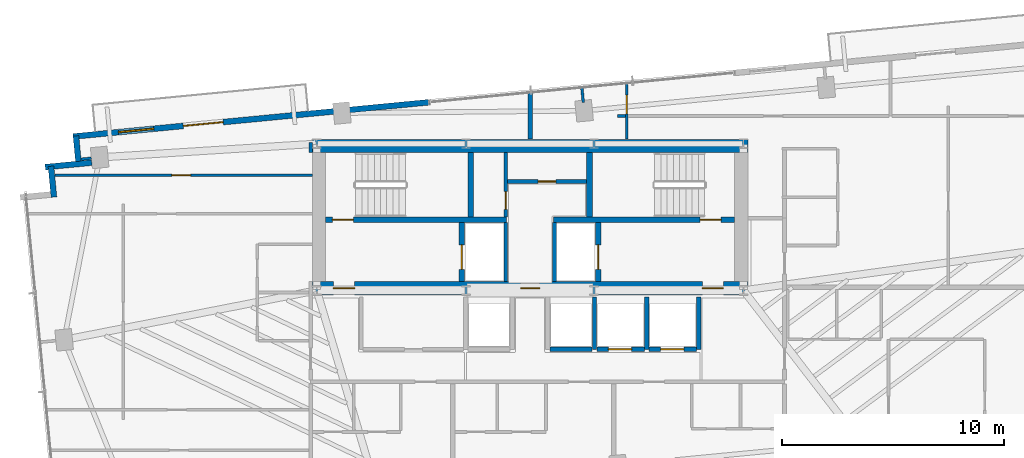
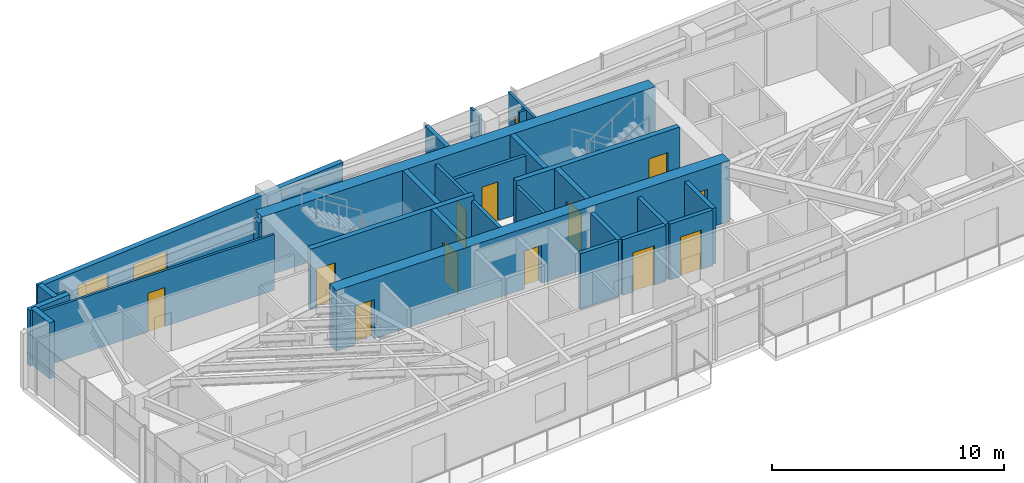
# One storey, part 14 of 18: 29 walls, 14 doors, 1 window, 15 openings.
"""IFC4 building model written with IfcOpenShell, lengths in metres."""

import ifcopenshell
import ifcopenshell.guid

model = None  # the IFC model being written
_history = None  # IfcOwnerHistory: only IFC2X3 demands one
_inside = {}  # id of a spatial element -> (the spatial element, [elements in it])
_under = {}  # id of a project, library or spatial element -> (it, [spatial elements below it])
_declared = {}  # id of a project -> (the project, [libraries it declares])
_typed = {}  # id of a type object -> (the type object, [elements of that type])
_made_of = {}  # id of a material, layer set ... -> (it, [elements and type objects made of it])


def new_model(schema):
    """Start an empty IFC model of exactly this schema.

    Asked for "IFC4X3", IfcOpenShell would pick the latest addendum, in which some entities
    have other attributes; the version numbers below select the first issue.
    IFC2X3 requires an IfcOwnerHistory on every rooted entity: one is made here for all.
    """
    global model, _history
    if schema == "IFC4X3":
        model = ifcopenshell.file(schema_version=(4, 3, 0, 0))
    else:
        model = ifcopenshell.file(schema=schema)
    _inside.clear()
    _under.clear()
    _declared.clear()
    _typed.clear()
    _made_of.clear()
    _history = None
    if model.schema == "IFC2X3":
        org = make("IfcOrganization", Name="unknown")
        user = make(
            "IfcPersonAndOrganization",
            ThePerson=make("IfcPerson", FamilyName="unknown"),
            TheOrganization=org,
        )
        app = make(
            "IfcApplication",
            ApplicationDeveloper=org,
            Version="unknown",
            ApplicationFullName="unknown",
            ApplicationIdentifier="unknown",
        )
        _history = make(
            "IfcOwnerHistory",
            OwningUser=user,
            OwningApplication=app,
            ChangeAction="ADDED",
            CreationDate=0,
        )
    return model


def make(cls, **values):
    """One entity of the class cls with the attributes given. An attribute that is None is left unset."""
    return model.create_entity(
        cls, **{name: value for name, value in values.items() if value is not None}
    )


def rooted(cls, **values):
    """An entity with a GlobalId (a new one), such as an element, a storey or a relation."""
    return make(cls, GlobalId=ifcopenshell.guid.new(), OwnerHistory=_history, **values)


def si_unit(unit_type, name, prefix=None):
    """IfcSIUnit, for example si_unit("LENGTHUNIT", "METRE", prefix="MILLI")."""
    return make("IfcSIUnit", UnitType=unit_type, Prefix=prefix, Name=name)


def assignment(units):
    """IfcUnitAssignment: the units of a project."""
    return None if units is None else make("IfcUnitAssignment", Units=units)


def point(xyz):
    """IfcCartesianPoint."""
    return None if xyz is None else make("IfcCartesianPoint", Coordinates=xyz)


def direction(xyz):
    """IfcDirection."""
    return None if xyz is None else make("IfcDirection", DirectionRatios=xyz)


def frame(location, z_axis=None, x_axis=None):
    """IfcAxis2Placement3D, a coordinate frame: its origin and axes. An axis left out is left unset."""
    return make(
        "IfcAxis2Placement3D",
        Location=point(location),
        Axis=direction(z_axis),
        RefDirection=direction(x_axis),
    )


def frame_2d(location, x_axis=None):
    """IfcAxis2Placement2D, a coordinate frame in the plane: its origin and x axis."""
    return make(
        "IfcAxis2Placement2D", Location=point(location), RefDirection=direction(x_axis)
    )


def origin():
    """The frame at (0, 0, 0) with its axes left unset."""
    return frame((0.0, 0.0, 0.0))


def place(relative_to, where):
    """IfcLocalPlacement: puts the frame where relative to a parent placement (None: the world)."""
    return make(
        "IfcLocalPlacement", PlacementRelTo=relative_to, RelativePlacement=where
    )


def context(
    kind, dimensions, precision=None, world=None, true_north=None, identifier=None
):
    """IfcGeometricRepresentationContext, for example the 3D "Model" context."""
    return make(
        "IfcGeometricRepresentationContext",
        ContextIdentifier=identifier,
        ContextType=kind,
        CoordinateSpaceDimension=dimensions,
        Precision=precision,
        WorldCoordinateSystem=world,
        TrueNorth=true_north,
    )


def subcontext(parent, identifier, kind, view, scale=None):
    """IfcGeometricRepresentationSubContext, for example "Body" below "Model"."""
    return make(
        "IfcGeometricRepresentationSubContext",
        ContextIdentifier=identifier,
        ContextType=kind,
        ParentContext=parent,
        TargetScale=scale,
        TargetView=view,
    )


def project(units=None, contexts=None):
    """IfcProject with its units and contexts."""
    return rooted(
        "IfcProject",
        Name="project",
        RepresentationContexts=contexts,
        UnitsInContext=assignment(units),
    )


def spatial(cls, under=None, at=None, **own):
    """A site, building, storey or space (cls), placed at a placement, below another one or the project."""
    s = rooted(cls, ObjectPlacement=at, **own)
    if under is not None:
        _under.setdefault(under.id(), (under, []))[1].append(s)
    return s


def profile(cls, at=None, kind="AREA", **sizes):
    """A parametric profile (cls). Its sizes go by their IFC names, for example OverallWidth=200.0."""
    return make(cls, ProfileType=kind, Position=at, **sizes)


def rectangle(**sizes):
    """IfcRectangleProfileDef."""
    return profile("IfcRectangleProfileDef", **sizes)


def extrude(swept, where, along, depth):
    """IfcExtrudedAreaSolid: the profile swept, set in the frame where, extruded along a direction by depth."""
    return make(
        "IfcExtrudedAreaSolid",
        SweptArea=swept,
        Position=where,
        ExtrudedDirection=direction(along),
        Depth=depth,
    )


def shape(context_of_items, identifier, shape_type, items):
    """IfcShapeRepresentation: the items that make up one representation, for example the "Body"."""
    return make(
        "IfcShapeRepresentation",
        ContextOfItems=context_of_items,
        RepresentationIdentifier=identifier,
        RepresentationType=shape_type,
        Items=items,
    )


def source(mapping_origin, context_of_items, identifier, shape_type, items):
    """IfcRepresentationMap: a shape defined once, which mapped items show again and again."""
    return make(
        "IfcRepresentationMap",
        MappingOrigin=mapping_origin,
        MappedRepresentation=shape(context_of_items, identifier, shape_type, items),
    )


def transform(
    local_origin,
    x_axis=None,
    y_axis=None,
    z_axis=None,
    scale=None,
    scale2=None,
    scale3=None,
    uniform=True,
):
    """IfcCartesianTransformationOperator3D, or its non-uniform kind. x_axis, y_axis, z_axis: its Axis1, 2, 3."""
    if uniform:
        return make(
            "IfcCartesianTransformationOperator3D",
            Axis1=direction(x_axis),
            Axis2=direction(y_axis),
            LocalOrigin=point(local_origin),
            Scale=scale,
            Axis3=direction(z_axis),
        )
    return make(
        "IfcCartesianTransformationOperator3DnonUniform",
        Axis1=direction(x_axis),
        Axis2=direction(y_axis),
        LocalOrigin=point(local_origin),
        Scale=scale,
        Axis3=direction(z_axis),
        Scale2=scale2,
        Scale3=scale3,
    )


def mapped(mapping_source, mapping_target):
    """IfcMappedItem: shows the shape of a source again, moved by a transform."""
    return make(
        "IfcMappedItem", MappingSource=mapping_source, MappingTarget=mapping_target
    )


def material(Name=None, Category=None):
    """IfcMaterial."""
    return make("IfcMaterial", Name=Name, Category=Category)


def layer(
    of_material, thickness, ventilated=None, Name=None, Category=None, Priority=None
):
    """IfcMaterialLayer: one layer of a wall or slab, of a material (None: an air gap)."""
    return make(
        "IfcMaterialLayer",
        Material=of_material,
        LayerThickness=thickness,
        IsVentilated=ventilated,
        Name=Name,
        Category=Category,
        Priority=Priority,
    )


def layer_set(layers, Name=None):
    """IfcMaterialLayerSet."""
    return make("IfcMaterialLayerSet", MaterialLayers=layers, LayerSetName=Name)


def made_of(thing, what):
    """Note that an element or type object is made of a material, layer set ...; save() writes the relation."""
    if what is not None:
        _made_of.setdefault(what.id(), (what, []))[1].append(thing)
    return thing


def type_object(cls, material=None, **own):
    """A type object (cls), such as IfcWallType, which elements share."""
    return made_of(rooted(cls, **own), material)


def type_shapes(of_type, sources):
    """Give a type object the sources (RepresentationMaps) that its elements show as mapped items."""
    of_type.RepresentationMaps = sources


def element(
    cls,
    number,
    at=None,
    inside=None,
    cuts=None,
    type_object=None,
    material=None,
    context=None,
    identifier="Body",
    shape_type=None,
    held_by="IfcProductDefinitionShape",
    body=None,
    shapes=None,
    **own,
):
    """One element of the class cls, such as IfcWall. Its Tag is "e" and its number.

    at: its placement. inside: the storey or other place that contains it. cuts: it is an
    opening in that element (IfcRelVoidsElement). A single representation is given by context,
    identifier, shape_type and body (its items); several are given by shapes. held_by: the class
    of the entity that holds the representations. save() writes the other relations.
    """
    e = rooted(cls, Tag="e%d" % number, ObjectPlacement=at, **own)
    if body is not None:
        shapes = [shape(context, identifier, shape_type, body)]
    if shapes is not None:
        e.Representation = make(held_by, Representations=shapes)
    if inside is not None:
        _inside.setdefault(inside.id(), (inside, []))[1].append(e)
    if cuts is not None:
        rooted(
            "IfcRelVoidsElement", RelatingBuildingElement=cuts, RelatedOpeningElement=e
        )
    if type_object is not None:
        _typed.setdefault(type_object.id(), (type_object, []))[1].append(e)
    return made_of(e, material)


def fill(opening, filler):
    """IfcRelFillsElement: the door or window that sits in an opening."""
    return rooted(
        "IfcRelFillsElement",
        RelatingOpeningElement=opening,
        RelatedBuildingElement=filler,
    )


def aggregate(whole, parts):
    """IfcRelAggregates: a whole, such as a stair, and the parts it consists of."""
    return rooted("IfcRelAggregates", RelatingObject=whole, RelatedObjects=parts)


def save(model, path):
    """Write the relations noted so far, then the file.

    IfcRelAggregates (storeys below a building ...), IfcRelContainedInSpatialStructure (elements
    in a storey), IfcRelDefinesByType, IfcRelAssociatesMaterial and IfcRelDeclares: one each for
    every whole, place, type object, material and project.
    """
    for whole, parts in _under.values():
        aggregate(whole, parts)
    for where, things in _inside.values():
        rooted(
            "IfcRelContainedInSpatialStructure",
            RelatedElements=things,
            RelatingStructure=where,
        )
    for kind, things in _typed.values():
        rooted("IfcRelDefinesByType", RelatedObjects=things, RelatingType=kind)
    for what, things in _made_of.values():
        rooted("IfcRelAssociatesMaterial", RelatedObjects=things, RelatingMaterial=what)
    for by, libraries in _declared.values():
        rooted("IfcRelDeclares", RelatingContext=by, RelatedDefinitions=libraries)
    model.write(path)


model = new_model("IFC4")

# Units and contexts
model_context = context("Model", 3, precision=1e-05, world=origin(), true_north=direction((0.0, 1.0)))
body_context = subcontext(model_context, "Body", "Model", "MODEL_VIEW")
ifc_project = project(units=[si_unit("LENGTHUNIT", "METRE"), si_unit("AREAUNIT", "SQUARE_METRE"), si_unit("VOLUMEUNIT", "CUBIC_METRE"), si_unit("PLANEANGLEUNIT", "RADIAN"), si_unit("MASSUNIT", "GRAM", prefix="KILO")], contexts=[model_context])

# Site, building, storey
site_placement = place(None, origin())
site = spatial("IfcSite", under=ifc_project, at=site_placement, CompositionType="ELEMENT")
building_placement = place(site_placement, origin())
building = spatial("IfcBuilding", under=site, at=building_placement, Name="Astriad Promenade Condominiums", CompositionType="ELEMENT")
storey_placement = place(building_placement, frame((0.0, 0.0, 185.800048828125)))
storey = spatial("IfcBuildingStorey", under=building, at=storey_placement, Name="L53", CompositionType="ELEMENT", Elevation=185.800048828125)

# Wall, openings, doors
ifc_material_1 = material(Name="Concrete C50/60", Category="concrete")
ifc_layer_1 = layer(ifc_material_1, 0.60009765625)
ifc_layer_set_1 = layer_set([ifc_layer_1], Name="Concrete C50/60")
wall_type_1 = type_object("IfcWallType", Name="CW-SHEAR-600", PredefinedType="SHEAR", material=ifc_layer_set_1)
wall_1_placement = place(storey_placement, frame((26.199951171875, 17.5, 0.0), z_axis=(0.0, 0.0, 1.0), x_axis=(1.0, 0.0, 0.0)))
wall_1 = element("IfcWall", 1, at=wall_1_placement, inside=storey, type_object=wall_type_1, Name="CW-CORE-S-L53", PredefinedType="SHEAR", context=body_context, shape_type="SweptSolid", body=[
    extrude(rectangle(XDim=19.60009765625, YDim=0.60009765625, at=frame_2d((9.800048828125, 0.0))), origin(), (0.0, 0.0, 1.0), 3.199951171875),
])
opening_1_placement = place(wall_1_placement, frame((0.949951171875, 0.0, 0.0)))
opening_1 = element("IfcOpeningElement", 2, at=opening_1_placement, cuts=wall_1, Name="Opening FD90-ST-095", PredefinedType="OPENING", context=body_context, shape_type="SweptSolid", body=[
    extrude(rectangle(XDim=0.949951171875, YDim=2.06005859375, at=frame_2d((0.47509765625, 1.030029296875))), frame((0.0, 0.31005859375, 0.0), z_axis=(0.0, -1.0, 0.0), x_axis=(1.0, 0.0, 0.0)), (0.0, 0.0, 1.0), 0.6201171875),
])
opening_2_placement = place(wall_1_placement, frame((9.3798828125, 0.0, 0.0)))
opening_2 = element("IfcOpeningElement", 3, at=opening_2_placement, cuts=wall_1, Name="Opening FD60-ULOW-085", PredefinedType="OPENING", context=body_context, shape_type="SweptSolid", body=[
    extrude(rectangle(XDim=0.85009765625, YDim=2.0, at=frame_2d((0.425048828125, 1.0))), frame((0.0, 0.31005859375, 0.0), z_axis=(0.0, -1.0, 0.0), x_axis=(1.0, 0.0, 0.0)), (0.0, 0.0, 1.0), 0.6201171875),
])
opening_3_placement = place(wall_1_placement, frame((17.550048828125, 0.0, 0.0)))
opening_3 = element("IfcOpeningElement", 4, at=opening_3_placement, cuts=wall_1, Name="Opening FD90-ST-095", PredefinedType="OPENING", context=body_context, shape_type="SweptSolid", body=[
    extrude(rectangle(XDim=0.949951171875, YDim=2.06005859375, at=frame_2d((0.47509765625, 1.030029296875))), frame((0.0, 0.31005859375, 0.0), z_axis=(0.0, -1.0, 0.0), x_axis=(1.0, 0.0, 0.0)), (0.0, 0.0, 1.0), 0.6201171875),
])
ifc_material_2 = material(Name="Fire-Rated Hollow Metal Stair Door")
door_type_1 = type_object("IfcDoorType", Name="FD90-ST-095", OperationType="NOTDEFINED", PredefinedType="DOOR", material=ifc_material_2)
shared_shape_1 = source(origin(), body_context, "Body", "SweptSolid", [
    extrude(rectangle(XDim=0.949951171875, YDim=2.06005859375, at=frame_2d((0.47509765625, 1.030029296875))), frame((0.0, 0.02490234375, 0.0), z_axis=(0.0, -1.0, 0.0), x_axis=(1.0, 0.0, 0.0)), (0.0, 0.0, 1.0), 0.050048828125),
])
type_shapes(door_type_1, [shared_shape_1])
door_1_placement = place(opening_1_placement, origin())
door_1 = element("IfcDoor", 5, at=door_1_placement, inside=storey, type_object=door_type_1, Name="D-FFW-L53", OperationType="SINGLE_SWING_LEFT", OverallHeight=2.06005859375, OverallWidth=0.949951171875, PredefinedType="DOOR", context=body_context, shape_type="MappedRepresentation", body=[
    mapped(shared_shape_1, transform((0.0, 0.0, 0.0), scale=1.0)),
])
fill(opening_1, door_1)
door_2_placement = place(opening_3_placement, origin())
door_2 = element("IfcDoor", 6, at=door_2_placement, inside=storey, type_object=door_type_1, Name="D-FFE-L53", OperationType="SINGLE_SWING_RIGHT", OverallHeight=2.06005859375, OverallWidth=0.949951171875, PredefinedType="DOOR", context=body_context, shape_type="MappedRepresentation", body=[
    mapped(shared_shape_1, transform((0.0, 0.0, 0.0), scale=1.0)),
])
fill(opening_3, door_2)
ifc_material_3 = material(Name="Solid-Core Low-Headroom Fire Door")
door_type_2 = type_object("IfcDoorType", Name="FD60-ULOW-085", OperationType="NOTDEFINED", PredefinedType="DOOR", material=ifc_material_3)
shared_shape_2 = source(origin(), body_context, "Body", "SweptSolid", [
    extrude(rectangle(XDim=0.85009765625, YDim=2.0, at=frame_2d((0.425048828125, 1.0))), frame((0.0, 0.02490234375, 0.0), z_axis=(0.0, -1.0, 0.0), x_axis=(1.0, 0.0, 0.0)), (0.0, 0.0, 1.0), 0.050048828125),
])
type_shapes(door_type_2, [shared_shape_2])
door_3_placement = place(opening_2_placement, origin())
door_3 = element("IfcDoor", 7, at=door_3_placement, inside=storey, type_object=door_type_2, Name="D-CSL-L53", OperationType="SINGLE_SWING_RIGHT", OverallHeight=2.0, OverallWidth=0.85009765625, PredefinedType="DOOR", context=body_context, shape_type="MappedRepresentation", body=[
    mapped(shared_shape_2, transform((0.0, 0.0, 0.0), scale=1.0)),
])
fill(opening_2, door_3)

# Wall
wall_2_placement = place(storey_placement, frame((26.199951171875, 23.89990234375, 0.0), z_axis=(0.0, 0.0, 1.0), x_axis=(1.0, 0.0, 0.0)))
element("IfcWall", 8, at=wall_2_placement, inside=storey, type_object=wall_type_1, Name="CW-CORE-N-L53", PredefinedType="SHEAR", context=body_context, shape_type="SweptSolid", body=[
    extrude(rectangle(XDim=19.60009765625, YDim=0.60009765625, at=frame_2d((9.800048828125, 0.0))), origin(), (0.0, 0.0, 1.0), 3.199951171875),
])

# Wall, opening, door
ifc_layer_2 = layer(ifc_material_1, 0.25)
ifc_layer_set_2 = layer_set([ifc_layer_2], Name="Concrete C50/60")
wall_type_2 = type_object("IfcWallType", Name="WALL-CORE-INT-250", PredefinedType="SOLIDWALL", material=ifc_layer_set_2)
wall_3_placement = place(storey_placement, frame((26.802001953125, 20.574951171875, 0.0), z_axis=(0.0, 0.0, 1.0), x_axis=(1.0, 0.0, 0.0)))
wall_3 = element("IfcWall", 9, at=wall_3_placement, inside=storey, type_object=wall_type_2, Name="CW-INT-H1-L53", PredefinedType="SOLIDWALL", context=body_context, shape_type="SweptSolid", body=[
    extrude(rectangle(XDim=8.14794921875, YDim=0.25, at=frame_2d((4.073974609375, 0.0))), origin(), (0.0, 0.0, 1.0), 3.199951171875),
])
opening_4_placement = place(wall_3_placement, frame((0.298095703125, 0.0, 0.0)))
opening_4 = element("IfcOpeningElement", 10, at=opening_4_placement, cuts=wall_3, Name="Opening FD90-ST-095", PredefinedType="OPENING", context=body_context, shape_type="SweptSolid", body=[
    extrude(rectangle(XDim=0.949951171875, YDim=2.06005859375, at=frame_2d((0.47509765625, 1.030029296875))), frame((0.0, 0.135009765625, 0.0), z_axis=(0.0, -1.0, 0.0), x_axis=(1.0, 0.0, 0.0)), (0.0, 0.0, 1.0), 0.27001953125),
])
door_4_placement = place(opening_4_placement, origin())
door_4 = element("IfcDoor", 11, at=door_4_placement, inside=storey, type_object=door_type_1, Name="D-ST1-L53", OperationType="SINGLE_SWING_RIGHT", OverallHeight=2.06005859375, OverallWidth=0.949951171875, PredefinedType="DOOR", context=body_context, shape_type="MappedRepresentation", body=[
    mapped(shared_shape_1, transform((0.0, 0.0, 0.0), scale=1.0)),
])
fill(opening_4, door_4)

wall_4_placement = place(storey_placement, frame((37.050048828125, 20.574951171875, 0.0), z_axis=(0.0, 0.0, 1.0), x_axis=(1.0, 0.0, 0.0)))
wall_4 = element("IfcWall", 12, at=wall_4_placement, inside=storey, type_object=wall_type_2, Name="CW-INT-H2-L53", PredefinedType="SOLIDWALL", context=body_context, shape_type="SweptSolid", body=[
    extrude(rectangle(XDim=8.14794921875, YDim=0.25, at=frame_2d((4.073974609375, 0.0))), origin(), (0.0, 0.0, 1.0), 3.199951171875),
])
opening_5_placement = place(wall_4_placement, frame((6.60009765625, 0.0, 0.0)))
opening_5 = element("IfcOpeningElement", 13, at=opening_5_placement, cuts=wall_4, Name="Opening FD90-ST-095", PredefinedType="OPENING", context=body_context, shape_type="SweptSolid", body=[
    extrude(rectangle(XDim=0.949951171875, YDim=2.06005859375, at=frame_2d((0.47509765625, 1.030029296875))), frame((0.0, 0.135009765625, 0.0), z_axis=(0.0, -1.0, 0.0), x_axis=(1.0, 0.0, 0.0)), (0.0, 0.0, 1.0), 0.27001953125),
])
door_5_placement = place(opening_5_placement, origin())
door_5 = element("IfcDoor", 14, at=door_5_placement, inside=storey, type_object=door_type_1, Name="D-ST2-L53", OperationType="SINGLE_SWING_LEFT", OverallHeight=2.06005859375, OverallWidth=0.949951171875, PredefinedType="DOOR", context=body_context, shape_type="MappedRepresentation", body=[
    mapped(shared_shape_1, transform((0.0, 0.0, 0.0), scale=1.0)),
])
fill(opening_5, door_5)

# Walls
for number, where, z_axis, x_axis, name in (
    (15, (33.324951171875, 20.701904296875, 0.0), (0.0, 0.0, 1.0), (0.0, 1.0, 0.0), "CW-ST1-E-L53"),
    (16, (38.675048828125, 20.701904296875, 0.0), (0.0, 0.0, 1.0), (0.0, 1.0, 0.0), "CW-ST2-W-L53"),
):
    element("IfcWall", number, at=place(storey_placement, frame(where, z_axis=z_axis, x_axis=x_axis)), inside=storey, type_object=wall_type_2, Name=name, PredefinedType="SOLIDWALL", context=body_context, shape_type="SweptSolid", body=[
        extrude(rectangle(XDim=2.89599609375, YDim=0.25, at=frame_2d((1.447998046875, 0.0))), origin(), (0.0, 0.0, 1.0), 3.199951171875),
    ])

# Wall, opening, door
wall_5_placement = place(storey_placement, frame((32.925048828125, 17.802001953125, 0.0), z_axis=(0.0, 0.0, 1.0), x_axis=(0.0, 1.0, 0.0)))
wall_5 = element("IfcWall", 17, at=wall_5_placement, inside=storey, type_object=wall_type_2, Name="CW-FFL1-W-L53", PredefinedType="SOLIDWALL", context=body_context, shape_type="SweptSolid", body=[
    extrude(rectangle(XDim=2.64599609375, YDim=0.25, at=frame_2d((1.322998046875, 0.0))), origin(), (0.0, 0.0, 1.0), 3.199951171875),
])
opening_6_placement = place(wall_5_placement, frame((0.548095703125, 0.0, 0.0)))
opening_6 = element("IfcOpeningElement", 18, at=opening_6_placement, cuts=wall_5, Name="Opening LD-FFL-1122", PredefinedType="OPENING", context=body_context, shape_type="SweptSolid", body=[
    extrude(rectangle(XDim=1.10009765625, YDim=2.080078125, at=frame_2d((0.550048828125, 1.0400390625))), frame((0.0, 0.135009765625, 0.0), z_axis=(0.0, -1.0, 0.0), x_axis=(1.0, 0.0, 0.0)), (0.0, 0.0, 1.0), 0.27001953125),
])
ifc_material_4 = material(Name="Brushed Stainless Steel Fire Elevator Landing Door", Category="steel")
door_type_3 = type_object("IfcDoorType", Name="LD-FFL-1122", OperationType="NOTDEFINED", PredefinedType="DOOR", material=ifc_material_4)
shared_shape_3 = source(origin(), body_context, "Body", "SweptSolid", [
    extrude(rectangle(XDim=1.10009765625, YDim=2.080078125, at=frame_2d((0.550048828125, 1.0400390625))), frame((0.0, 0.02490234375, 0.0), z_axis=(0.0, -1.0, 0.0), x_axis=(1.0, 0.0, 0.0)), (0.0, 0.0, 1.0), 0.050048828125),
])
type_shapes(door_type_3, [shared_shape_3])
door_6_placement = place(opening_6_placement, origin())
door_6 = element("IfcDoor", 19, at=door_6_placement, inside=storey, type_object=door_type_3, Name="Elevator Landing Door FFL-1 (L53)", OperationType="SLIDING_TO_LEFT", OverallHeight=2.080078125, OverallWidth=1.10009765625, PredefinedType="DOOR", context=body_context, shape_type="MappedRepresentation", body=[
    mapped(shared_shape_3, transform((0.0, 0.0, 0.0), scale=1.0)),
])
fill(opening_6, door_6)

wall_6_placement = place(storey_placement, frame((39.074951171875, 17.802001953125, 0.0), z_axis=(0.0, 0.0, 1.0), x_axis=(0.0, 1.0, 0.0)))
wall_6 = element("IfcWall", 20, at=wall_6_placement, inside=storey, type_object=wall_type_2, Name="CW-FFL2-E-L53", PredefinedType="SOLIDWALL", context=body_context, shape_type="SweptSolid", body=[
    extrude(rectangle(XDim=2.64599609375, YDim=0.25, at=frame_2d((1.322998046875, 0.0))), origin(), (0.0, 0.0, 1.0), 3.199951171875),
])
opening_7_placement = place(wall_6_placement, frame((0.548095703125, 0.0, 0.0)))
opening_7 = element("IfcOpeningElement", 21, at=opening_7_placement, cuts=wall_6, Name="Opening LD-FFL-1122", PredefinedType="OPENING", context=body_context, shape_type="SweptSolid", body=[
    extrude(rectangle(XDim=1.10009765625, YDim=2.080078125, at=frame_2d((0.550048828125, 1.0400390625))), frame((0.0, 0.135009765625, 0.0), z_axis=(0.0, -1.0, 0.0), x_axis=(1.0, 0.0, 0.0)), (0.0, 0.0, 1.0), 0.27001953125),
])
door_7_placement = place(opening_7_placement, origin())
door_7 = element("IfcDoor", 22, at=door_7_placement, inside=storey, type_object=door_type_3, Name="Elevator Landing Door FFL-2 (L53)", OperationType="SLIDING_TO_RIGHT", OverallHeight=2.080078125, OverallWidth=1.10009765625, PredefinedType="DOOR", context=body_context, shape_type="MappedRepresentation", body=[
    mapped(shared_shape_3, transform((0.0, 0.0, 0.0), scale=1.0)),
])
fill(opening_7, door_7)

# Walls
ifc_material_5 = material(Name="Fire-Rated Gypsum Partition")
ifc_layer_3 = layer(ifc_material_5, 0.159912109375)
ifc_layer_set_3 = layer_set([ifc_layer_3], Name="Fire-Rated Gypsum Partition")
wall_type_3 = type_object("IfcWallType", Name="WALL-CORR-160", PredefinedType="PARTITIONING", material=ifc_layer_set_3)
for number, where, z_axis, x_axis, name in (
    (23, (34.89990234375, 17.802001953125, 0.0), (0.0, 0.0, 1.0), (0.0, 1.0, 0.0), "CW-FFL1-E-L53"),
    (24, (37.10009765625, 17.802001953125, 0.0), (0.0, 0.0, 1.0), (0.0, 1.0, 0.0), "CW-FFL2-W-L53"),
):
    element("IfcWall", number, at=place(storey_placement, frame(where, z_axis=z_axis, x_axis=x_axis)), inside=storey, type_object=wall_type_3, Name=name, PredefinedType="PARTITIONING", context=body_context, shape_type="SweptSolid", body=[
        extrude(rectangle(XDim=2.64599609375, YDim=0.159912109375, at=frame_2d((1.322998046875, 0.0))), origin(), (0.0, 0.0, 1.0), 2.93994140625),
    ])

# Wall, opening, door
wall_7_placement = place(storey_placement, frame((34.89990234375, 20.701904296875, 0.0), z_axis=(0.0, 0.0, 1.0), x_axis=(0.0, 1.0, 0.0)))
wall_7 = element("IfcWall", 25, at=wall_7_placement, inside=storey, type_object=wall_type_3, Name="CW-AUX-W-L53", PredefinedType="PARTITIONING", context=body_context, shape_type="SweptSolid", body=[
    extrude(rectangle(XDim=2.89599609375, YDim=0.159912109375, at=frame_2d((1.447998046875, 0.0))), origin(), (0.0, 0.0, 1.0), 2.93994140625),
])
opening_8_placement = place(wall_7_placement, frame((0.347900390625, 0.0, 0.0)))
opening_8 = element("IfcOpeningElement", 26, at=opening_8_placement, cuts=wall_7, Name="Opening FD60-SV-080", PredefinedType="OPENING", context=body_context, shape_type="SweptSolid", body=[
    extrude(rectangle(XDim=0.800048828125, YDim=2.050048828125, at=frame_2d((0.39990234375, 1.02490234375))), frame((0.0, 0.08984375, 0.0), z_axis=(0.0, -1.0, 0.0), x_axis=(1.0, 0.0, 0.0)), (0.0, 0.0, 1.0), 0.179931640625),
])
ifc_material_6 = material(Name="Fire-Rated Riser Closet Door")
door_type_4 = type_object("IfcDoorType", Name="FD60-SV-080", OperationType="NOTDEFINED", PredefinedType="DOOR", material=ifc_material_6)
shared_shape_4 = source(origin(), body_context, "Body", "SweptSolid", [
    extrude(rectangle(XDim=0.800048828125, YDim=2.050048828125, at=frame_2d((0.39990234375, 1.02490234375))), frame((0.0, 0.02490234375, 0.0), z_axis=(0.0, -1.0, 0.0), x_axis=(1.0, 0.0, 0.0)), (0.0, 0.0, 1.0), 0.050048828125),
])
type_shapes(door_type_4, [shared_shape_4])
door_8_placement = place(opening_8_placement, origin())
door_8 = element("IfcDoor", 27, at=door_8_placement, inside=storey, type_object=door_type_4, Name="D-AUX1-L53", OperationType="SINGLE_SWING_RIGHT", OverallHeight=2.050048828125, OverallWidth=0.800048828125, PredefinedType="DOOR", context=body_context, shape_type="MappedRepresentation", body=[
    mapped(shared_shape_4, transform((0.0, 0.0, 0.0), scale=1.0)),
])
fill(opening_8, door_8)

wall_8_placement = place(storey_placement, frame((34.98193359375, 22.300048828125, 0.0), z_axis=(0.0, 0.0, 1.0), x_axis=(1.0, 0.0, 0.0)))
wall_8 = element("IfcWall", 28, at=wall_8_placement, inside=storey, type_object=wall_type_3, Name="CW-AUX-N-L53", PredefinedType="PARTITIONING", context=body_context, shape_type="SweptSolid", body=[
    extrude(rectangle(XDim=3.566162109375, YDim=0.159912109375, at=frame_2d((1.783203125, 0.0))), origin(), (0.0, 0.0, 1.0), 2.93994140625),
])
opening_9_placement = place(wall_8_placement, frame((1.3779296875, 0.0, 0.0)))
opening_9 = element("IfcOpeningElement", 29, at=opening_9_placement, cuts=wall_8, Name="Opening FD60-SV-080", PredefinedType="OPENING", context=body_context, shape_type="SweptSolid", body=[
    extrude(rectangle(XDim=0.800048828125, YDim=2.050048828125, at=frame_2d((0.39990234375, 1.02490234375))), frame((0.0, 0.08984375, 0.0), z_axis=(0.0, -1.0, 0.0), x_axis=(1.0, 0.0, 0.0)), (0.0, 0.0, 1.0), 0.179931640625),
])
door_9_placement = place(opening_9_placement, origin())
door_9 = element("IfcDoor", 30, at=door_9_placement, inside=storey, type_object=door_type_4, Name="D-AUX2-L53", OperationType="SINGLE_SWING_LEFT", OverallHeight=2.050048828125, OverallWidth=0.800048828125, PredefinedType="DOOR", context=body_context, shape_type="MappedRepresentation", body=[
    mapped(shared_shape_4, transform((0.0, 0.0, 0.0), scale=1.0)),
])
fill(opening_9, door_9)

# Walls
wall_9_placement = place(storey_placement, frame((26.1201171875, 23.597900390625, 0.0), z_axis=(0.0, 0.0, 1.0), x_axis=(0.0, 1.0, 0.0)))
element("IfcWall", 31, at=wall_9_placement, inside=storey, type_object=wall_type_3, Name="PT-COR-W-L53-S3", PredefinedType="PARTITIONING", context=body_context, shape_type="SweptSolid", body=[
    extrude(rectangle(XDim=0.4521484375, YDim=0.159912109375, at=frame_2d((0.22607421875, 0.0))), origin(), (0.0, 0.0, 1.0), 2.93994140625),
])
ifc_material_7 = material(Name="Acoustic Double-Stud Gypsum Partition")
ifc_layer_4 = layer(ifc_material_7, 0.199951171875)
ifc_layer_set_4 = layer_set([ifc_layer_4], Name="Acoustic Double-Stud Gypsum Partition")
wall_type_4 = type_object("IfcWallType", Name="WALL-DEMISING-200", PredefinedType="PARTITIONING", material=ifc_layer_set_4)
wall_10_placement = place(storey_placement, frame((36.0, 24.201904296875, 0.0), z_axis=(0.0, 0.0, 1.0), x_axis=(0.0, 1.0, 0.0)))
element("IfcWall", 32, at=wall_10_placement, inside=storey, type_object=wall_type_4, Name="PT-NC-MID-L53", PredefinedType="PARTITIONING", context=body_context, shape_type="SweptSolid", body=[
    extrude(rectangle(XDim=2.152099609375, YDim=0.199951171875, at=frame_2d((1.076171875, 0.0))), origin(), (0.0, 0.0, 1.0), 2.93994140625),
])
ifc_material_8 = material(Name="Precast concrete C50/60", Category="concrete")
ifc_layer_5 = layer(ifc_material_8, 0.260009765625)
ifc_layer_set_5 = layer_set([ifc_layer_5], Name="Precast concrete C50/60")
wall_type_5 = type_object("IfcWallType", Name="WALL-EXT-TWR-260", PredefinedType="STANDARD", material=ifc_layer_set_5)
wall_11_placement = place(storey_placement, frame((14.57373046875, 21.5986328125, 0.0), z_axis=(0.0, 0.0, 1.0), x_axis=(-0.095742423056, 0.99540614245, 0.0)))
element("IfcWall", 33, at=wall_11_placement, inside=storey, type_object=wall_type_5, Name="W-SER-L53-05", PredefinedType="STANDARD", context=body_context, shape_type="SweptSolid", body=[
    extrude(rectangle(XDim=1.394775390625, YDim=0.260009765625, at=frame_2d((0.697265625, 0.0))), origin(), (0.0, 0.0, 1.0), 2.93994140625),
])
wall_12_placement = place(storey_placement, frame((14.182861328125, 22.947265625, 0.0), z_axis=(0.0, 0.0, 1.0), x_axis=(0.995401580483, 0.095789840651, 0.0)))
element("IfcWall", 34, at=wall_12_placement, inside=storey, type_object=wall_type_5, Name="W-SER-L53-06", PredefinedType="STANDARD", context=body_context, shape_type="SweptSolid", body=[
    extrude(rectangle(XDim=2.102783203125, YDim=0.260009765625, at=frame_2d((1.05126953125, 0.0))), origin(), (0.0, 0.0, 1.0), 2.93994140625),
])
wall_13_placement = place(storey_placement, frame((15.6748046875, 23.20654296875, 0.0), z_axis=(0.0, 0.0, 1.0), x_axis=(-0.095951054827, 0.995386053287, 0.0)))
element("IfcWall", 35, at=wall_13_placement, inside=storey, type_object=wall_type_5, Name="W-SER-L53-07", PredefinedType="STANDARD", context=body_context, shape_type="SweptSolid", body=[
    extrude(rectangle(XDim=1.150146484375, YDim=0.260009765625, at=frame_2d((0.5751953125, 0.0))), origin(), (0.0, 0.0, 1.0), 2.93994140625),
])

# Wall, openings, door, window
wall_14_placement = place(storey_placement, frame((15.4365234375, 24.32373046875, 0.0), z_axis=(0.0, 0.0, 1.0), x_axis=(0.995395627913, 0.095851676732, 0.0)))
wall_14 = element("IfcWall", 36, at=wall_14_placement, inside=storey, type_object=wall_type_5, Name="W-EXT-L53-N1", PredefinedType="STANDARD", context=body_context, shape_type="SweptSolid", body=[
    extrude(rectangle(XDim=16.10009765625, YDim=0.260009765625, at=frame_2d((8.050048828125, 0.0))), origin(), (0.0, 0.0, 1.0), 2.93994140625),
])
opening_10_placement = place(wall_14_placement, frame((4.97802734375, 0.0, 0.0)))
opening_10 = element("IfcOpeningElement", 37, at=opening_10_placement, cuts=wall_14, Name="Opening BD-1822-SLD", PredefinedType="OPENING", context=body_context, shape_type="SweptSolid", body=[
    extrude(rectangle(XDim=1.800048828125, YDim=2.06005859375, at=frame_2d((0.89990234375, 1.030029296875))), frame((0.0, 0.139892578125, 0.0), z_axis=(0.0, -1.0, 0.0), x_axis=(1.0, 0.0, 0.0)), (0.0, 0.0, 1.0), 0.280029296875),
])
opening_11_placement = place(wall_14_placement, frame((2.050048828125, 0.0, 0.64990234375)))
opening_11 = element("IfcOpeningElement", 38, at=opening_11_placement, cuts=wall_14, Name="Opening WIN-TWR-1620", PredefinedType="OPENING", context=body_context, shape_type="SweptSolid", body=[
    extrude(rectangle(XDim=1.60009765625, YDim=1.5, at=frame_2d((0.800048828125, 0.75))), frame((0.0, 0.139892578125, 0.0), z_axis=(0.0, -1.0, 0.0), x_axis=(1.0, 0.0, 0.0)), (0.0, 0.0, 1.0), 0.280029296875),
])
ifc_material_9 = material(Name="Thermally Broken Aluminium Sliding Balcony Door", Category="aluminium")
door_type_5 = type_object("IfcDoorType", Name="BD-1822-SLD", OperationType="NOTDEFINED", PredefinedType="DOOR", material=ifc_material_9)
shared_shape_5 = source(origin(), body_context, "Body", "SweptSolid", [
    extrude(rectangle(XDim=1.800048828125, YDim=2.06005859375, at=frame_2d((0.89990234375, 1.030029296875))), frame((0.0, 0.02490234375, 0.0), z_axis=(0.0, -1.0, 0.0), x_axis=(1.0, 0.0, 0.0)), (0.0, 0.0, 1.0), 0.050048828125),
])
type_shapes(door_type_5, [shared_shape_5])
door_10_placement = place(opening_10_placement, origin())
door_10 = element("IfcDoor", 39, at=door_10_placement, inside=storey, type_object=door_type_5, Name="BD-L53-NW", OperationType="SLIDING_TO_LEFT", OverallHeight=2.06005859375, OverallWidth=1.800048828125, PredefinedType="DOOR", context=body_context, shape_type="MappedRepresentation", body=[
    mapped(shared_shape_5, transform((0.0, 0.0, 0.0), scale=1.0)),
])
fill(opening_10, door_10)
ifc_material_10 = material(Name="Dark Tinted Triple-Glazed Aluminium Window", Category="aluminium")
window_type = type_object("IfcWindowType", Name="WIN-TWR-1620", PartitioningType="SINGLE_PANEL", PredefinedType="WINDOW", material=ifc_material_10)
shared_shape_6 = source(origin(), body_context, "Body", "SweptSolid", [
    extrude(rectangle(XDim=1.60009765625, YDim=1.5, at=frame_2d((0.800048828125, 0.75))), frame((0.0, 0.030029296875, 0.0), z_axis=(0.0, -1.0, 0.0), x_axis=(1.0, 0.0, 0.0)), (0.0, 0.0, 1.0), 0.06005859375),
])
type_shapes(window_type, [shared_shape_6])
window_placement = place(opening_11_placement, origin())
window = element("IfcWindow", 40, at=window_placement, inside=storey, type_object=window_type, Name="WIN-L53-NW", OverallHeight=1.5, OverallWidth=1.60009765625, PartitioningType="SINGLE_PANEL", PredefinedType="WINDOW", context=body_context, shape_type="MappedRepresentation", body=[
    mapped(shared_shape_6, transform((0.0, 0.0, 0.0), scale=1.0)),
])
fill(opening_11, window)

# Wall, opening, door
ifc_material_11 = material(Name="Acoustic Metal-Stud Gypsum Partition")
ifc_layer_6 = layer(ifc_material_11, 0.1201171875)
ifc_layer_set_6 = layer_set([ifc_layer_6], Name="Acoustic Metal-Stud Gypsum Partition")
wall_type_6 = type_object("IfcWallType", Name="WALL-PART-120", PredefinedType="PARTITIONING", material=ifc_layer_set_6)
wall_15_placement = place(storey_placement, frame((14.612060546875, 22.577880859375, 0.0), z_axis=(0.0, 0.0, 1.0), x_axis=(1.0, 0.0, 0.0)))
wall_15 = element("IfcWall", 41, at=wall_15_placement, inside=storey, type_object=wall_type_6, Name="PT-L53-W1-WDN2", PredefinedType="PARTITIONING", context=body_context, shape_type="SweptSolid", body=[
    extrude(rectangle(XDim=11.5859375, YDim=0.1201171875, at=frame_2d((5.79296875, 0.0))), origin(), (0.0, 0.0, 1.0), 2.93994140625),
])
opening_12_placement = place(wall_15_placement, frame((5.265869140625, 0.0, 0.0)))
opening_12 = element("IfcOpeningElement", 42, at=opening_12_placement, cuts=wall_15, Name="Opening D-INT-085", PredefinedType="OPENING", context=body_context, shape_type="SweptSolid", body=[
    extrude(rectangle(XDim=0.85009765625, YDim=2.050048828125, at=frame_2d((0.425048828125, 1.02490234375))), frame((0.0, 0.070068359375, 0.0), z_axis=(0.0, -1.0, 0.0), x_axis=(1.0, 0.0, 0.0)), (0.0, 0.0, 1.0), 0.14013671875),
])
ifc_material_12 = material(Name="Painted Solid-Core Timber Room Door", Category="wood")
door_type_6 = type_object("IfcDoorType", Name="D-INT-085", OperationType="NOTDEFINED", PredefinedType="DOOR", material=ifc_material_12)
shared_shape_7 = source(origin(), body_context, "Body", "SweptSolid", [
    extrude(rectangle(XDim=0.85009765625, YDim=2.050048828125, at=frame_2d((0.425048828125, 1.02490234375))), frame((0.0, 0.02490234375, 0.0), z_axis=(0.0, -1.0, 0.0), x_axis=(1.0, 0.0, 0.0)), (0.0, 0.0, 1.0), 0.050048828125),
])
type_shapes(door_type_6, [shared_shape_7])
door_11_placement = place(opening_12_placement, origin())
door_11 = element("IfcDoor", 43, at=door_11_placement, inside=storey, type_object=door_type_6, Name="D-WDN2-L53-W1", OperationType="SINGLE_SWING_RIGHT", OverallHeight=2.050048828125, OverallWidth=0.85009765625, PredefinedType="DOOR", context=body_context, shape_type="MappedRepresentation", body=[
    mapped(shared_shape_7, transform((0.0, 0.0, 0.0), scale=1.0)),
])
fill(opening_12, door_11)

wall_16_placement = place(storey_placement, frame((40.35009765625, 24.201904296875, 0.0), z_axis=(0.0, 0.0, 1.0), x_axis=(0.0, 1.0, 0.0)))
wall_16 = element("IfcWall", 44, at=wall_16_placement, inside=storey, type_object=wall_type_6, Name="PT-L53-E2-NC", PredefinedType="PARTITIONING", context=body_context, shape_type="SweptSolid", body=[
    extrude(rectangle(XDim=2.571044921875, YDim=0.1201171875, at=frame_2d((1.28564453125, 0.0))), origin(), (0.0, 0.0, 1.0), 2.93994140625),
])
opening_13_placement = place(wall_16_placement, frame((1.139892578125, 0.0, 0.0)))
opening_13 = element("IfcOpeningElement", 45, at=opening_13_placement, cuts=wall_16, Name="Opening D-INT-085", PredefinedType="OPENING", context=body_context, shape_type="SweptSolid", body=[
    extrude(rectangle(XDim=0.85009765625, YDim=2.050048828125, at=frame_2d((0.425048828125, 1.02490234375))), frame((0.0, 0.070068359375, 0.0), z_axis=(0.0, -1.0, 0.0), x_axis=(1.0, 0.0, 0.0)), (0.0, 0.0, 1.0), 0.14013671875),
])
door_12_placement = place(opening_13_placement, origin())
door_12 = element("IfcDoor", 46, at=door_12_placement, inside=storey, type_object=door_type_6, Name="D-NC-L53-E2", OperationType="SINGLE_SWING_RIGHT", OverallHeight=2.050048828125, OverallWidth=0.85009765625, PredefinedType="DOOR", context=body_context, shape_type="MappedRepresentation", body=[
    mapped(shared_shape_7, transform((0.0, 0.0, 0.0), scale=1.0)),
])
fill(opening_13, door_12)

# Walls
wall_17_placement = place(storey_placement, frame((39.929931640625, 25.2470703125, 0.0), z_axis=(0.0, 0.0, 1.0), x_axis=(1.0, 0.0, 0.0)))
element("IfcWall", 47, at=wall_17_placement, inside=storey, type_object=wall_type_6, Name="PT-L53-E2-B1", PredefinedType="PARTITIONING", context=body_context, shape_type="SweptSolid", body=[
    extrude(rectangle(XDim=0.358154296875, YDim=0.1201171875, at=frame_2d((0.17919921875, 0.0))), origin(), (0.0, 0.0, 1.0), 2.93994140625),
])
wall_18_placement = place(storey_placement, frame((16.25390625, 23.34765625, 0.0), z_axis=(0.0, 0.0, 1.0), x_axis=(-0.995389482415, -0.095915474751, 0.0)))
element("IfcWall", 48, at=wall_18_placement, inside=storey, type_object=wall_type_6, Name="PT-PIL-L53-PC06-13", PredefinedType="PARTITIONING", context=body_context, shape_type="SweptSolid", body=[
    extrude(rectangle(XDim=0.458251953125, YDim=0.1201171875, at=frame_2d((0.22900390625, 0.0))), origin(), (0.0, 0.0, 1.0), 2.93994140625),
])
wall_19_placement = place(storey_placement, frame((38.39501953125, 25.861328125, 0.0), z_axis=(0.0, 0.0, 1.0), x_axis=(-0.095977354523, 0.995383517755, 0.0)))
element("IfcWall", 49, at=wall_19_placement, inside=storey, type_object=wall_type_6, Name="PT-PIL-L53-PC08-15", PredefinedType="PARTITIONING", context=body_context, shape_type="SweptSolid", body=[
    extrude(rectangle(XDim=0.719970703125, YDim=0.1201171875, at=frame_2d((0.35986328125, 0.0))), origin(), (0.0, 0.0, 1.0), 2.93994140625),
])
ifc_material_13 = material(Name="Gypsum Shaftliner Assembly")
ifc_layer_7 = layer(ifc_material_13, 0.199951171875)
ifc_layer_set_7 = layer_set([ifc_layer_7], Name="Gypsum Shaftliner Assembly")
wall_type_7 = type_object("IfcWallType", Name="WALL-SHAFT-200", PredefinedType="PARTITIONING", material=ifc_layer_set_7)
wall_20_placement = place(storey_placement, frame((38.89990234375, 14.75, 0.0), z_axis=(0.0, 0.0, 1.0), x_axis=(0.0, 1.0, 0.0)))
element("IfcWall", 50, at=wall_20_placement, inside=storey, type_object=wall_type_7, Name="PL-MH-DIV-L53", PredefinedType="PARTITIONING", context=body_context, shape_type="SweptSolid", body=[
    extrude(rectangle(XDim=2.35009765625, YDim=0.199951171875, at=frame_2d((1.175048828125, 0.0))), origin(), (0.0, 0.0, 1.0), 2.93994140625),
])
wall_21_placement = place(storey_placement, frame((36.902099609375, 14.75, 0.0), z_axis=(0.0, 0.0, 1.0), x_axis=(1.0, 0.0, 0.0)))
element("IfcWall", 51, at=wall_21_placement, inside=storey, type_object=wall_type_7, Name="PL-M2-F-L53", PredefinedType="PARTITIONING", context=body_context, shape_type="SweptSolid", body=[
    extrude(rectangle(XDim=1.89599609375, YDim=0.199951171875, at=frame_2d((0.947998046875, 0.0))), origin(), (0.0, 0.0, 1.0), 2.93994140625),
])
for number, where, z_axis, x_axis, name in (
    (52, (41.25, 14.75, 0.0), (0.0, 0.0, 1.0), (0.0, 1.0, 0.0), "PL-H-DIV-L53"),
    (53, (43.60009765625, 14.75, 0.0), (0.0, 0.0, 1.0), (0.0, 1.0, 0.0), "PL-E-OUT-L53"),
):
    element("IfcWall", number, at=place(storey_placement, frame(where, z_axis=z_axis, x_axis=x_axis)), inside=storey, type_object=wall_type_7, Name=name, PredefinedType="PARTITIONING", context=body_context, shape_type="SweptSolid", body=[
        extrude(rectangle(XDim=2.35009765625, YDim=0.199951171875, at=frame_2d((1.175048828125, 0.0))), origin(), (0.0, 0.0, 1.0), 2.93994140625),
    ])

# Wall, opening, door
wall_22_placement = place(storey_placement, frame((39.001953125, 14.75, 0.0), z_axis=(0.0, 0.0, 1.0), x_axis=(1.0, 0.0, 0.0)))
wall_22 = element("IfcWall", 54, at=wall_22_placement, inside=storey, type_object=wall_type_7, Name="PL-H-FRT-L53", PredefinedType="PARTITIONING", context=body_context, shape_type="SweptSolid", body=[
    extrude(rectangle(XDim=2.14599609375, YDim=0.199951171875, at=frame_2d((1.072998046875, 0.0))), origin(), (0.0, 0.0, 1.0), 2.93994140625),
])
opening_14_placement = place(wall_22_placement, frame((0.52294921875, 0.0, 0.0)))
opening_14 = element("IfcOpeningElement", 55, at=opening_14_placement, cuts=wall_22, Name="Opening LD-PL-10522", PredefinedType="OPENING", context=body_context, shape_type="SweptSolid", body=[
    extrude(rectangle(XDim=1.050048828125, YDim=2.080078125, at=frame_2d((0.52490234375, 1.0400390625))), frame((0.0, 0.10986328125, 0.0), z_axis=(0.0, -1.0, 0.0), x_axis=(1.0, 0.0, 0.0)), (0.0, 0.0, 1.0), 0.219970703125),
])
ifc_material_14 = material(Name="Brushed Bronze Passenger Elevator Landing Door")
door_type_7 = type_object("IfcDoorType", Name="LD-PL-10522", OperationType="NOTDEFINED", PredefinedType="DOOR", material=ifc_material_14)
shared_shape_8 = source(origin(), body_context, "Body", "SweptSolid", [
    extrude(rectangle(XDim=1.050048828125, YDim=2.080078125, at=frame_2d((0.52490234375, 1.0400390625))), frame((0.0, 0.02490234375, 0.0), z_axis=(0.0, -1.0, 0.0), x_axis=(1.0, 0.0, 0.0)), (0.0, 0.0, 1.0), 0.050048828125),
])
type_shapes(door_type_7, [shared_shape_8])
door_13_placement = place(opening_14_placement, origin())
door_13 = element("IfcDoor", 56, at=door_13_placement, inside=storey, type_object=door_type_7, Name="Elevator Landing Door PL-H1 (L53)", OperationType="SLIDING_TO_LEFT", OverallHeight=2.080078125, OverallWidth=1.050048828125, PredefinedType="DOOR", context=body_context, shape_type="MappedRepresentation", body=[
    mapped(shared_shape_8, transform((0.0, 0.0, 0.0), scale=1.0)),
])
fill(opening_14, door_13)

wall_23_placement = place(storey_placement, frame((41.35205078125, 14.75, 0.0), z_axis=(0.0, 0.0, 1.0), x_axis=(1.0, 0.0, 0.0)))
wall_23 = element("IfcWall", 57, at=wall_23_placement, inside=storey, type_object=wall_type_7, Name="PL-H-FRT-L53-S2", PredefinedType="PARTITIONING", context=body_context, shape_type="SweptSolid", body=[
    extrude(rectangle(XDim=2.14599609375, YDim=0.199951171875, at=frame_2d((1.072998046875, 0.0))), origin(), (0.0, 0.0, 1.0), 2.93994140625),
])
opening_15_placement = place(wall_23_placement, frame((0.52294921875, 0.0, 0.0)))
opening_15 = element("IfcOpeningElement", 58, at=opening_15_placement, cuts=wall_23, Name="Opening LD-PL-10522", PredefinedType="OPENING", context=body_context, shape_type="SweptSolid", body=[
    extrude(rectangle(XDim=1.050048828125, YDim=2.080078125, at=frame_2d((0.52490234375, 1.0400390625))), frame((0.0, 0.10986328125, 0.0), z_axis=(0.0, -1.0, 0.0), x_axis=(1.0, 0.0, 0.0)), (0.0, 0.0, 1.0), 0.219970703125),
])
door_14_placement = place(opening_15_placement, origin())
door_14 = element("IfcDoor", 59, at=door_14_placement, inside=storey, type_object=door_type_7, Name="Elevator Landing Door PL-H2 (L53)", OperationType="SLIDING_TO_RIGHT", OverallHeight=2.080078125, OverallWidth=1.050048828125, PredefinedType="DOOR", context=body_context, shape_type="MappedRepresentation", body=[
    mapped(shared_shape_8, transform((0.0, 0.0, 0.0), scale=1.0)),
])
fill(opening_15, door_14)

save(model, "model.ifc")
